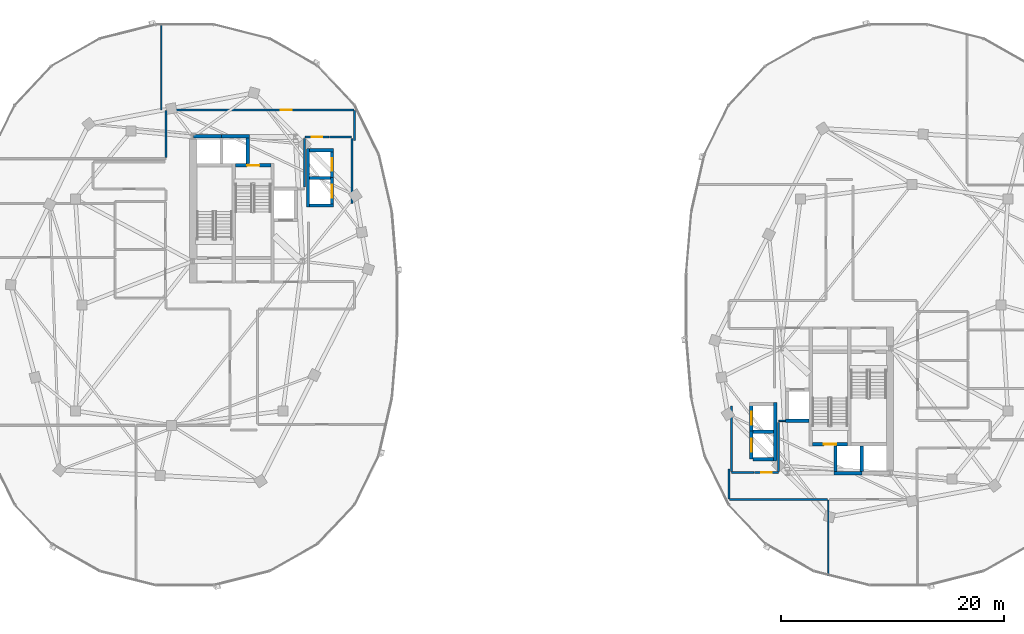
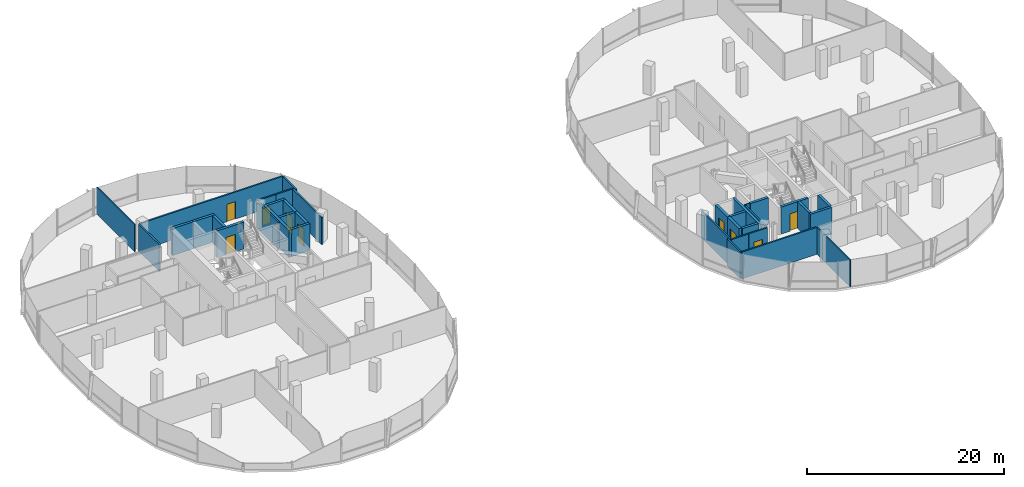
# One storey, part 16 of 25: 36 walls, 9 doors, 9 openings.
"""IFC4 building model written with IfcOpenShell, lengths in metres."""

from ifc_helpers import new_model, si_unit, direction, frame, frame_2d, origin, place, context, subcontext, project, spatial, rectangle, extrude, material, layer, layer_set, type_object, element, fill, save


model = new_model("IFC4")

# Units and contexts
model_context = context("Model", 3, precision=1e-05, world=origin(), true_north=direction((0.0, 1.0)))
body_context = subcontext(model_context, "Body", "Model", "MODEL_VIEW")
ifc_project = project(units=[si_unit("LENGTHUNIT", "METRE"), si_unit("AREAUNIT", "SQUARE_METRE"), si_unit("VOLUMEUNIT", "CUBIC_METRE"), si_unit("PLANEANGLEUNIT", "RADIAN"), si_unit("MASSUNIT", "GRAM", prefix="KILO"), si_unit("THERMODYNAMICTEMPERATUREUNIT", "KELVIN"), si_unit("POWERUNIT", "WATT")], contexts=[model_context])

# Site, building, storey
site_placement = place(None, origin())
site = spatial("IfcSite", under=ifc_project, at=site_placement, CompositionType="ELEMENT")
building_placement = place(site_placement, origin())
building = spatial("IfcBuilding", under=site, at=building_placement, Name="Cundina Bronze Exchange", CompositionType="ELEMENT")
storey_placement = place(building_placement, frame((0.0, 0.0, 213.39990234375)))
storey = spatial("IfcBuildingStorey", under=building, at=storey_placement, Name="L56", CompositionType="ELEMENT", Elevation=213.39990234375)

# Wall
ifc_material_1 = material(Name="Gypsum Fireboard Partition EI120")
ifc_layer_1 = layer(ifc_material_1, 0.179931640625, Name="Gypsum Fireboard Partition EI120")
ifc_layer_set_1 = layer_set([ifc_layer_1], Name="Gypsum Fireboard Partition EI120")
wall_type_1 = type_object("IfcWallType", Name="WL-COR-180", PredefinedType="PARTITIONING", material=ifc_layer_set_1)
wall_1_placement = place(storey_placement, frame((-17.02001953125, 9.070068359375, 0.0), z_axis=(0.0, 0.0, 1.0), x_axis=(0.0, 1.0, 0.0)))
element("IfcWall", 1, at=wall_1_placement, inside=storey, type_object=wall_type_1, Name="L56 Interior Partition 001", PredefinedType="PARTITIONING", context=body_context, shape_type="SweptSolid", body=[
    extrude(rectangle(XDim=5.85986328125, YDim=0.179931640625, at=frame_2d((2.929931640625, 0.0))), origin(), (0.0, 0.0, 1.0), 3.340087890625),
])

# Wall, opening, door
wall_2_placement = place(storey_placement, frame((-21.22998046875, 15.030029296875, 0.0), z_axis=(0.0, 0.0, 1.0), x_axis=(1.0, 0.0, 0.0)))
wall_2 = element("IfcWall", 2, at=wall_2_placement, inside=storey, type_object=wall_type_1, Name="L56 Interior Partition 002", PredefinedType="PARTITIONING", context=body_context, shape_type="SweptSolid", body=[
    extrude(rectangle(XDim=2.159912109375, YDim=0.179931640625, at=frame_2d((1.080078125, 0.0))), origin(), (0.0, 0.0, 1.0), 3.340087890625),
])
opening_1_placement = place(wall_2_placement, frame((0.60498046875, 0.0, 0.0)))
opening_1 = element("IfcOpeningElement", 3, at=opening_1_placement, cuts=wall_2, Name="Opening DW-01", PredefinedType="OPENING", context=body_context, shape_type="SweptSolid", body=[
    extrude(rectangle(XDim=0.949951171875, YDim=2.10009765625, at=frame_2d((0.47509765625, 1.050048828125))), frame((0.0, 0.099853515625, 0.0), z_axis=(0.0, -1.0, 0.0), x_axis=(1.0, 0.0, 0.0)), (0.0, 0.0, 1.0), 0.199951171875),
])
ifc_material_2 = material(Name="Solid Andean Oak Timber Grade A", Category="wood")
door_type_1 = type_object("IfcDoorType", Name="DR-WC-950", OperationType="NOTDEFINED", PredefinedType="DOOR", material=ifc_material_2)
door_1_placement = place(opening_1_placement, origin())
door_1 = element("IfcDoor", 4, at=door_1_placement, inside=storey, type_object=door_type_1, Name="L56 Interior Door 002", OperationType="SINGLE_SWING_LEFT", OverallHeight=2.10009765625, OverallWidth=0.949951171875, PredefinedType="DOOR", context=body_context, shape_type="SweptSolid", body=[
    extrude(rectangle(XDim=0.949951171875, YDim=2.10009765625, at=frame_2d((0.47509765625, 1.050048828125))), frame((0.0, 0.02490234375, 0.0), z_axis=(0.0, -1.0, 0.0), x_axis=(1.0, 0.0, 0.0)), (0.0, 0.0, 1.0), 0.050048828125),
])
fill(opening_1, door_1)

# Walls
wall_3_placement = place(storey_placement, frame((-19.030029296875, 15.030029296875, 0.0), z_axis=(0.0, 0.0, 1.0), x_axis=(1.0, 0.0, 0.0)))
element("IfcWall", 5, at=wall_3_placement, inside=storey, type_object=wall_type_1, Name="L56 Interior Partition 003", PredefinedType="PARTITIONING", context=body_context, shape_type="SweptSolid", body=[
    extrude(rectangle(XDim=1.989990234375, YDim=0.179931640625, at=frame_2d((0.9951171875, 0.0))), origin(), (0.0, 0.0, 1.0), 3.340087890625),
])
wall_4_placement = place(storey_placement, frame((-21.25, 10.570068359375, 0.0), z_axis=(0.0, 0.0, 1.0), x_axis=(0.0, 1.0, 0.0)))
element("IfcWall", 6, at=wall_4_placement, inside=storey, type_object=wall_type_1, Name="L56 Interior Partition 005", PredefinedType="PARTITIONING", context=body_context, shape_type="SweptSolid", body=[
    extrude(rectangle(XDim=4.35986328125, YDim=0.179931640625, at=frame_2d((2.179931640625, 0.0))), origin(), (0.0, 0.0, 1.0), 3.340087890625),
])

# Wall, opening, door
wall_5_placement = place(storey_placement, frame((-16.821533203125, 17.469970703125, 0.0), z_axis=(0.0, 0.0, 1.0), x_axis=(-1.0, 0.0, 0.0)))
wall_5 = element("IfcWall", 7, at=wall_5_placement, inside=storey, type_object=wall_type_1, Name="L56 Interior Partition 024", PredefinedType="PARTITIONING", context=body_context, shape_type="SweptSolid", body=[
    extrude(rectangle(XDim=16.806884765625, YDim=0.179931640625, at=frame_2d((8.4033203125, 0.0))), origin(), (0.0, 0.0, 1.0), 3.340087890625),
])
opening_2_placement = place(wall_5_placement, frame((5.568603515625, 0.0, 0.0)))
opening_2 = element("IfcOpeningElement", 8, at=opening_2_placement, cuts=wall_5, Name="Opening DO-01", PredefinedType="OPENING", context=body_context, shape_type="SweptSolid", body=[
    extrude(rectangle(XDim=1.0, YDim=2.14990234375, at=frame_2d((0.5, 1.074951171875))), frame((0.0, 0.099853515625, 0.0), z_axis=(0.0, -1.0, 0.0), x_axis=(1.0, 0.0, 0.0)), (0.0, 0.0, 1.0), 0.199951171875),
])
door_type_2 = type_object("IfcDoorType", Name="DR-OFF-1000", OperationType="NOTDEFINED", PredefinedType="DOOR", material=ifc_material_2)
door_2_placement = place(opening_2_placement, origin())
door_2 = element("IfcDoor", 9, at=door_2_placement, inside=storey, type_object=door_type_2, Name="L56 Interior Door 024", OperationType="SINGLE_SWING_LEFT", OverallHeight=2.14990234375, OverallWidth=1.0, PredefinedType="DOOR", context=body_context, shape_type="SweptSolid", body=[
    extrude(rectangle(XDim=1.0, YDim=2.14990234375, at=frame_2d((0.5, 1.074951171875))), frame((0.0, 0.02490234375, 0.0), z_axis=(0.0, -1.0, 0.0), x_axis=(1.0, 0.0, 0.0)), (0.0, 0.0, 1.0), 0.050048828125),
])
fill(opening_2, door_2)

# Walls
wall_6_placement = place(storey_placement, frame((-33.669921875, 17.428466796875, 0.0), z_axis=(0.0, 0.0, 1.0), x_axis=(0.0, -1.0, 0.0)))
element("IfcWall", 10, at=wall_6_placement, inside=storey, type_object=wall_type_1, Name="L56 Interior Partition 027", PredefinedType="PARTITIONING", context=body_context, shape_type="SweptSolid", body=[
    extrude(rectangle(XDim=4.238525390625, YDim=0.179931640625, at=frame_2d((2.119140625, 0.0))), origin(), (0.0, 0.0, 1.0), 3.340087890625),
])
wall_7_placement = place(storey_placement, frame((-16.780029296875, 14.721435546875, 0.0), z_axis=(0.0, 0.0, 1.0), x_axis=(0.0, 1.0, 0.0)))
element("IfcWall", 11, at=wall_7_placement, inside=storey, type_object=wall_type_1, Name="L56 Interior Partition 029", PredefinedType="PARTITIONING", context=body_context, shape_type="SweptSolid", body=[
    extrude(rectangle(XDim=2.70703125, YDim=0.179931640625, at=frame_2d((1.353515625, 0.0))), origin(), (0.0, 0.0, 1.0), 3.340087890625),
])
wall_8_placement = place(storey_placement, frame((17.02001953125, -14.929931640625, 0.0), z_axis=(0.0, 0.0, 1.0), x_axis=(0.0, 1.0, 0.0)))
element("IfcWall", 12, at=wall_8_placement, inside=storey, type_object=wall_type_1, Name="L56 Interior Partition 038", PredefinedType="PARTITIONING", context=body_context, shape_type="SweptSolid", body=[
    extrude(rectangle(XDim=5.85986328125, YDim=0.179931640625, at=frame_2d((2.929931640625, 0.0))), origin(), (0.0, 0.0, 1.0), 3.340087890625),
])
wall_9_placement = place(storey_placement, frame((17.0400390625, -15.030029296875, 0.0), z_axis=(0.0, 0.0, 1.0), x_axis=(1.0, 0.0, 0.0)))
element("IfcWall", 13, at=wall_9_placement, inside=storey, type_object=wall_type_1, Name="L56 Interior Partition 039", PredefinedType="PARTITIONING", context=body_context, shape_type="SweptSolid", body=[
    extrude(rectangle(XDim=1.989990234375, YDim=0.179931640625, at=frame_2d((0.9951171875, 0.0))), origin(), (0.0, 0.0, 1.0), 3.340087890625),
])

# Wall, opening, door
wall_10_placement = place(storey_placement, frame((21.22998046875, -15.030029296875, 0.0), z_axis=(0.0, 0.0, 1.0), x_axis=(-1.0, 0.0, 0.0)))
wall_10 = element("IfcWall", 14, at=wall_10_placement, inside=storey, type_object=wall_type_1, Name="L56 Interior Partition 040", PredefinedType="PARTITIONING", context=body_context, shape_type="SweptSolid", body=[
    extrude(rectangle(XDim=2.159912109375, YDim=0.179931640625, at=frame_2d((1.080078125, 0.0))), origin(), (0.0, 0.0, 1.0), 3.340087890625),
])
opening_3_placement = place(wall_10_placement, frame((0.60498046875, 0.0, 0.0)))
opening_3 = element("IfcOpeningElement", 15, at=opening_3_placement, cuts=wall_10, Name="Opening DW-01", PredefinedType="OPENING", context=body_context, shape_type="SweptSolid", body=[
    extrude(rectangle(XDim=0.949951171875, YDim=2.10009765625, at=frame_2d((0.47509765625, 1.050048828125))), frame((0.0, 0.099853515625, 0.0), z_axis=(0.0, -1.0, 0.0), x_axis=(1.0, 0.0, 0.0)), (0.0, 0.0, 1.0), 0.199951171875),
])
door_3_placement = place(opening_3_placement, origin())
door_3 = element("IfcDoor", 16, at=door_3_placement, inside=storey, type_object=door_type_1, Name="L56 Interior Door 040", OperationType="SINGLE_SWING_RIGHT", OverallHeight=2.10009765625, OverallWidth=0.949951171875, PredefinedType="DOOR", context=body_context, shape_type="SweptSolid", body=[
    extrude(rectangle(XDim=0.949951171875, YDim=2.10009765625, at=frame_2d((0.47509765625, 1.050048828125))), frame((0.0, 0.02490234375, 0.0), z_axis=(0.0, -1.0, 0.0), x_axis=(1.0, 0.0, 0.0)), (0.0, 0.0, 1.0), 0.050048828125),
])
fill(opening_3, door_3)

# Walls
wall_11_placement = place(storey_placement, frame((21.25, -14.929931640625, 0.0), z_axis=(0.0, 0.0, 1.0), x_axis=(0.0, 1.0, 0.0)))
element("IfcWall", 17, at=wall_11_placement, inside=storey, type_object=wall_type_1, Name="L56 Interior Partition 042", PredefinedType="PARTITIONING", context=body_context, shape_type="SweptSolid", body=[
    extrude(rectangle(XDim=4.35986328125, YDim=0.179931640625, at=frame_2d((2.179931640625, 0.0))), origin(), (0.0, 0.0, 1.0), 3.340087890625),
])
wall_12_placement = place(storey_placement, frame((16.821533203125, -17.469970703125, 0.0), z_axis=(0.0, 0.0, 1.0), x_axis=(1.0, 0.0, 0.0)))
element("IfcWall", 18, at=wall_12_placement, inside=storey, type_object=wall_type_1, Name="L56 Interior Partition 065", PredefinedType="PARTITIONING", context=body_context, shape_type="SweptSolid", body=[
    extrude(rectangle(XDim=8.78857421875, YDim=0.179931640625, at=frame_2d((4.394287109375, 0.0))), origin(), (0.0, 0.0, 1.0), 3.340087890625),
])
wall_13_placement = place(storey_placement, frame((16.780029296875, -14.721435546875, 0.0), z_axis=(0.0, 0.0, 1.0), x_axis=(0.0, -1.0, 0.0)))
element("IfcWall", 19, at=wall_13_placement, inside=storey, type_object=wall_type_1, Name="L56 Interior Partition 068", PredefinedType="PARTITIONING", context=body_context, shape_type="SweptSolid", body=[
    extrude(rectangle(XDim=2.70703125, YDim=0.179931640625, at=frame_2d((1.353515625, 0.0))), origin(), (0.0, 0.0, 1.0), 3.340087890625),
])
ifc_material_3 = material(Name="Gypsum Acoustic Partition EI60")
ifc_layer_2 = layer(ifc_material_3, 0.125, Name="Gypsum Acoustic Partition EI60")
ifc_layer_set_2 = layer_set([ifc_layer_2], Name="Gypsum Acoustic Partition EI60")
wall_type_2 = type_object("IfcWallType", Name="WL-OFF-125", PredefinedType="PARTITIONING", material=ifc_layer_set_2)
wall_14_placement = place(storey_placement, frame((-34.10009765625, 17.469970703125, 0.0), z_axis=(0.0, 0.0, 1.0), x_axis=(0.0, 1.0, 0.0)))
element("IfcWall", 20, at=wall_14_placement, inside=storey, type_object=wall_type_2, Name="L56 Interior Partition 019", PredefinedType="PARTITIONING", context=body_context, shape_type="SweptSolid", body=[
    extrude(rectangle(XDim=7.719970703125, YDim=0.125, at=frame_2d((3.85986328125, 0.0))), origin(), (0.0, 0.0, 1.0), 3.340087890625),
])
wall_15_placement = place(storey_placement, frame((25.699951171875, -24.2646484375, 0.0), z_axis=(0.0, 0.0, 1.0), x_axis=(0.0, 1.0, 0.0)))
element("IfcWall", 21, at=wall_15_placement, inside=storey, type_object=wall_type_2, Name="L56 Interior Partition 056", PredefinedType="PARTITIONING", context=body_context, shape_type="SweptSolid", body=[
    extrude(rectangle(XDim=6.7646484375, YDim=0.125, at=frame_2d((3.38232421875, 0.0))), origin(), (0.0, 0.0, 1.0), 3.340087890625),
])

# Wall, opening, door
ifc_material_4 = material(Name="Concrete C50/60", Category="concrete")
ifc_layer_3 = layer(ifc_material_4, 0.300048828125, Name="Concrete C50/60", Category="concrete")
ifc_layer_set_3 = layer_set([ifc_layer_3], Name="Concrete C50/60")
wall_type_3 = type_object("IfcWallType", Name="WL-SHFT-300", PredefinedType="SHEAR", material=ifc_layer_set_3)
wall_16_placement = place(storey_placement, frame((-27.43994140625, 12.5, 0.0), z_axis=(0.0, 0.0, 1.0), x_axis=(1.0, 0.0, 0.0)))
wall_16 = element("IfcWall", 22, at=wall_16_placement, inside=storey, type_object=wall_type_3, Name="L56 Stair W2 Landing Wall", PredefinedType="SHEAR", context=body_context, shape_type="SweptSolid", body=[
    extrude(rectangle(XDim=3.159912109375, YDim=0.300048828125, at=frame_2d((1.580078125, 0.0))), origin(), (0.0, 0.0, 1.0), 3.340087890625),
])
opening_4_placement = place(wall_16_placement, frame((1.030029296875, 0.0, 0.0)))
opening_4 = element("IfcOpeningElement", 23, at=opening_4_placement, cuts=wall_16, Name="Opening DS-01", PredefinedType="OPENING", context=body_context, shape_type="SweptSolid", body=[
    extrude(rectangle(XDim=1.10009765625, YDim=2.14990234375, at=frame_2d((0.550048828125, 1.074951171875))), frame((0.0, 0.159912109375, 0.0), z_axis=(0.0, -1.0, 0.0), x_axis=(1.0, 0.0, 0.0)), (0.0, 0.0, 1.0), 0.320068359375),
])
ifc_material_5 = material(Name="Steel ASTM A36 Painted", Category="steel")
door_type_3 = type_object("IfcDoorType", Name="DR-STR-1100", OperationType="NOTDEFINED", PredefinedType="DOOR", material=ifc_material_5)
door_4_placement = place(opening_4_placement, origin())
door_4 = element("IfcDoor", 24, at=door_4_placement, inside=storey, type_object=door_type_3, Name="L56 Smokeproof Stair W2 Door", OperationType="SINGLE_SWING_LEFT", OverallHeight=2.14990234375, OverallWidth=1.10009765625, PredefinedType="DOOR", context=body_context, shape_type="SweptSolid", body=[
    extrude(rectangle(XDim=1.10009765625, YDim=2.14990234375, at=frame_2d((0.550048828125, 1.074951171875))), frame((0.0, 0.02490234375, 0.0), z_axis=(0.0, -1.0, 0.0), x_axis=(1.0, 0.0, 0.0)), (0.0, 0.0, 1.0), 0.050048828125),
])
fill(opening_4, door_4)

# Walls
for number, where, z_axis, x_axis, name in (
    (25, (-31.199951171875, 15.10009765625, 0.0), (0.0, 0.0, 1.0), (1.0, 0.0, 0.0), "L56 PH-W1 Hoistway Front Wall"),
    (26, (-28.699951171875, 15.10009765625, 0.0), (0.0, 0.0, 1.0), (1.0, 0.0, 0.0), "L56 PH-W2 Hoistway Front Wall"),
):
    element("IfcWall", number, at=place(storey_placement, frame(where, z_axis=z_axis, x_axis=x_axis)), inside=storey, type_object=wall_type_3, Name=name, PredefinedType="SHEAR", context=body_context, shape_type="SweptSolid", body=[
        extrude(rectangle(XDim=2.5, YDim=0.300048828125, at=frame_2d((1.25, 0.0))), origin(), (0.0, 0.0, 1.0), 3.340087890625),
    ])
wall_17_placement = place(storey_placement, frame((-26.35009765625, 12.64990234375, 0.0), z_axis=(0.0, 0.0, 1.0), x_axis=(0.0, 1.0, 0.0)))
element("IfcWall", 27, at=wall_17_placement, inside=storey, type_object=wall_type_3, Name="L56 PH-W2 Hoistway Divider Wall", PredefinedType="SHEAR", context=body_context, shape_type="SweptSolid", body=[
    extrude(rectangle(XDim=2.300048828125, YDim=0.300048828125, at=frame_2d((1.14990234375, 0.0))), origin(), (0.0, 0.0, 1.0), 3.340087890625),
])
wall_18_placement = place(storey_placement, frame((-20.949951171875, 8.75, 0.0), z_axis=(0.0, 0.0, 1.0), x_axis=(0.0, 1.0, 0.0)))
element("IfcWall", 28, at=wall_18_placement, inside=storey, type_object=wall_type_3, Name="L56 W Passenger Bank Hoistway Back Wall", PredefinedType="SHEAR", context=body_context, shape_type="SweptSolid", body=[
    extrude(rectangle(XDim=5.25, YDim=0.300048828125, at=frame_2d((2.625, 0.0))), origin(), (0.0, 0.0, 1.0), 3.340087890625),
])
for number, where, z_axis, x_axis, name in (
    (29, (-20.800048828125, 8.89990234375, 0.0), (0.0, 0.0, 1.0), (1.0, 0.0, 0.0), "L56 W Passenger Bank South Cap Wall"),
    (30, (-20.800048828125, 13.85009765625, 0.0), (0.0, 0.0, 1.0), (1.0, 0.0, 0.0), "L56 W Passenger Bank North Cap Wall"),
):
    element("IfcWall", number, at=place(storey_placement, frame(where, z_axis=z_axis, x_axis=x_axis)), inside=storey, type_object=wall_type_3, Name=name, PredefinedType="SHEAR", context=body_context, shape_type="SweptSolid", body=[
        extrude(rectangle(XDim=2.150146484375, YDim=0.300048828125, at=frame_2d((1.0751953125, 0.0))), origin(), (0.0, 0.0, 1.0), 3.340087890625),
    ])
wall_19_placement = place(storey_placement, frame((-20.800048828125, 11.375, 0.0), z_axis=(0.0, 0.0, 1.0), x_axis=(1.0, 0.0, 0.0)))
element("IfcWall", 31, at=wall_19_placement, inside=storey, type_object=wall_type_3, Name="L56 W Passenger Hoistway Divider 1", PredefinedType="SHEAR", context=body_context, shape_type="SweptSolid", body=[
    extrude(rectangle(XDim=1.85009765625, YDim=0.300048828125, at=frame_2d((0.925048828125, 0.0))), origin(), (0.0, 0.0, 1.0), 3.340087890625),
])

# Wall, opening, door
wall_20_placement = place(storey_placement, frame((-18.800048828125, 8.929931640625, 0.0), z_axis=(0.0, 0.0, 1.0), x_axis=(0.0, 1.0, 0.0)))
wall_20 = element("IfcWall", 32, at=wall_20_placement, inside=storey, type_object=wall_type_3, Name="L56 PM-W2 Hoistway Front Wall", PredefinedType="SHEAR", context=body_context, shape_type="SweptSolid", body=[
    extrude(rectangle(XDim=2.489990234375, YDim=0.300048828125, at=frame_2d((1.2451171875, 0.0))), origin(), (0.0, 0.0, 1.0), 3.340087890625),
])
opening_5_placement = place(wall_20_placement, frame((0.669921875, 0.0, 0.0)))
opening_5 = element("IfcOpeningElement", 33, at=opening_5_placement, cuts=wall_20, Name="Opening LD-01", PredefinedType="OPENING", context=body_context, shape_type="SweptSolid", body=[
    extrude(rectangle(XDim=1.14990234375, YDim=2.199951171875, at=frame_2d((0.574951171875, 1.10009765625))), frame((0.0, 0.159912109375, 0.0), z_axis=(0.0, -1.0, 0.0), x_axis=(1.0, 0.0, 0.0)), (0.0, 0.0, 1.0), 0.320068359375),
])
door_type_4 = type_object("IfcDoorType", Name="DR-LND-1150", OperationType="NOTDEFINED", PredefinedType="TRAPDOOR", material=ifc_material_5)
door_5_placement = place(opening_5_placement, origin())
door_5 = element("IfcDoor", 34, at=door_5_placement, inside=storey, type_object=door_type_4, Name="L56 PM-W2 Sliding Landing Door", OperationType="SLIDING_TO_LEFT", OverallHeight=2.199951171875, OverallWidth=1.14990234375, PredefinedType="TRAPDOOR", context=body_context, shape_type="SweptSolid", body=[
    extrude(rectangle(XDim=1.14990234375, YDim=2.199951171875, at=frame_2d((0.574951171875, 1.10009765625))), frame((0.0, 0.02490234375, 0.0), z_axis=(0.0, -1.0, 0.0), x_axis=(1.0, 0.0, 0.0)), (0.0, 0.0, 1.0), 0.050048828125),
])
fill(opening_5, door_5)

wall_21_placement = place(storey_placement, frame((-18.800048828125, 11.330078125, 0.0), z_axis=(0.0, 0.0, 1.0), x_axis=(0.0, 1.0, 0.0)))
wall_21 = element("IfcWall", 35, at=wall_21_placement, inside=storey, type_object=wall_type_3, Name="L56 PM-W1 Hoistway Front Wall", PredefinedType="SHEAR", context=body_context, shape_type="SweptSolid", body=[
    extrude(rectangle(XDim=2.489990234375, YDim=0.300048828125, at=frame_2d((1.2451171875, 0.0))), origin(), (0.0, 0.0, 1.0), 3.340087890625),
])
opening_6_placement = place(wall_21_placement, frame((0.669921875, 0.0, 0.0)))
opening_6 = element("IfcOpeningElement", 36, at=opening_6_placement, cuts=wall_21, Name="Opening LD-01", PredefinedType="OPENING", context=body_context, shape_type="SweptSolid", body=[
    extrude(rectangle(XDim=1.14990234375, YDim=2.199951171875, at=frame_2d((0.574951171875, 1.10009765625))), frame((0.0, 0.159912109375, 0.0), z_axis=(0.0, -1.0, 0.0), x_axis=(1.0, 0.0, 0.0)), (0.0, 0.0, 1.0), 0.320068359375),
])
door_6_placement = place(opening_6_placement, origin())
door_6 = element("IfcDoor", 37, at=door_6_placement, inside=storey, type_object=door_type_4, Name="L56 PM-W1 Sliding Landing Door", OperationType="SLIDING_TO_LEFT", OverallHeight=2.199951171875, OverallWidth=1.14990234375, PredefinedType="TRAPDOOR", context=body_context, shape_type="SweptSolid", body=[
    extrude(rectangle(XDim=1.14990234375, YDim=2.199951171875, at=frame_2d((0.574951171875, 1.10009765625))), frame((0.0, 0.02490234375, 0.0), z_axis=(0.0, -1.0, 0.0), x_axis=(1.0, 0.0, 0.0)), (0.0, 0.0, 1.0), 0.050048828125),
])
fill(opening_6, door_6)

wall_22_placement = place(storey_placement, frame((24.280029296875, -12.5, 0.0), z_axis=(0.0, 0.0, 1.0), x_axis=(1.0, 0.0, 0.0)))
wall_22 = element("IfcWall", 38, at=wall_22_placement, inside=storey, type_object=wall_type_3, Name="L56 Stair E2 Landing Wall", PredefinedType="SHEAR", context=body_context, shape_type="SweptSolid", body=[
    extrude(rectangle(XDim=3.159912109375, YDim=0.300048828125, at=frame_2d((1.580078125, 0.0))), origin(), (0.0, 0.0, 1.0), 3.340087890625),
])
opening_7_placement = place(wall_22_placement, frame((1.030029296875, 0.0, 0.0)))
opening_7 = element("IfcOpeningElement", 39, at=opening_7_placement, cuts=wall_22, Name="Opening DS-01", PredefinedType="OPENING", context=body_context, shape_type="SweptSolid", body=[
    extrude(rectangle(XDim=1.10009765625, YDim=2.14990234375, at=frame_2d((0.550048828125, 1.074951171875))), frame((0.0, 0.159912109375, 0.0), z_axis=(0.0, -1.0, 0.0), x_axis=(1.0, 0.0, 0.0)), (0.0, 0.0, 1.0), 0.320068359375),
])
door_7_placement = place(opening_7_placement, origin())
door_7 = element("IfcDoor", 40, at=door_7_placement, inside=storey, type_object=door_type_3, Name="L56 Smokeproof Stair E2 Door", OperationType="SINGLE_SWING_RIGHT", OverallHeight=2.14990234375, OverallWidth=1.10009765625, PredefinedType="DOOR", context=body_context, shape_type="SweptSolid", body=[
    extrude(rectangle(XDim=1.10009765625, YDim=2.14990234375, at=frame_2d((0.550048828125, 1.074951171875))), frame((0.0, 0.02490234375, 0.0), z_axis=(0.0, -1.0, 0.0), x_axis=(1.0, 0.0, 0.0)), (0.0, 0.0, 1.0), 0.050048828125),
])
fill(opening_7, door_7)

# Walls
wall_23_placement = place(storey_placement, frame((21.8798828125, -10.39990234375, 0.0), z_axis=(0.0, 0.0, 1.0), x_axis=(1.0, 0.0, 0.0)))
element("IfcWall", 41, at=wall_23_placement, inside=storey, type_object=wall_type_3, Name="L56 FFL-E Hoistway Back Wall", PredefinedType="SHEAR", context=body_context, shape_type="SweptSolid", body=[
    extrude(rectangle(XDim=2.10009765625, YDim=0.300048828125, at=frame_2d((1.050048828125, 0.0))), origin(), (0.0, 0.0, 1.0), 3.340087890625),
])
wall_24_placement = place(storey_placement, frame((28.699951171875, -14.949951171875, 0.0), z_axis=(0.0, 0.0, 1.0), x_axis=(0.0, 1.0, 0.0)))
element("IfcWall", 42, at=wall_24_placement, inside=storey, type_object=wall_type_3, Name="L56 PH-E1 Hoistway Divider Wall", PredefinedType="SHEAR", context=body_context, shape_type="SweptSolid", body=[
    extrude(rectangle(XDim=2.300048828125, YDim=0.300048828125, at=frame_2d((1.14990234375, 0.0))), origin(), (0.0, 0.0, 1.0), 3.340087890625),
])
wall_25_placement = place(storey_placement, frame((26.199951171875, -15.10009765625, 0.0), z_axis=(0.0, 0.0, 1.0), x_axis=(1.0, 0.0, 0.0)))
element("IfcWall", 43, at=wall_25_placement, inside=storey, type_object=wall_type_3, Name="L56 PH-E2 Hoistway Front Wall", PredefinedType="SHEAR", context=body_context, shape_type="SweptSolid", body=[
    extrude(rectangle(XDim=2.5, YDim=0.300048828125, at=frame_2d((1.25, 0.0))), origin(), (0.0, 0.0, 1.0), 3.340087890625),
])
wall_26_placement = place(storey_placement, frame((26.35009765625, -14.949951171875, 0.0), z_axis=(0.0, 0.0, 1.0), x_axis=(0.0, 1.0, 0.0)))
element("IfcWall", 44, at=wall_26_placement, inside=storey, type_object=wall_type_3, Name="L56 PH-E2 Hoistway Divider Wall", PredefinedType="SHEAR", context=body_context, shape_type="SweptSolid", body=[
    extrude(rectangle(XDim=2.300048828125, YDim=0.300048828125, at=frame_2d((1.14990234375, 0.0))), origin(), (0.0, 0.0, 1.0), 3.340087890625),
])
wall_27_placement = place(storey_placement, frame((20.949951171875, -14.0, 0.0), z_axis=(0.0, 0.0, 1.0), x_axis=(0.0, 1.0, 0.0)))
element("IfcWall", 45, at=wall_27_placement, inside=storey, type_object=wall_type_3, Name="L56 E Passenger Bank Hoistway Back Wall", PredefinedType="SHEAR", context=body_context, shape_type="SweptSolid", body=[
    extrude(rectangle(XDim=5.25, YDim=0.300048828125, at=frame_2d((2.625, 0.0))), origin(), (0.0, 0.0, 1.0), 3.340087890625),
])
for number, where, z_axis, x_axis, name in (
    (46, (18.949951171875, -13.85009765625, 0.0), (0.0, 0.0, 1.0), (1.0, 0.0, 0.0), "L56 E Passenger Bank South Cap Wall"),
    (47, (18.949951171875, -11.375, 0.0), (0.0, 0.0, 1.0), (1.0, 0.0, 0.0), "L56 E Passenger Hoistway Divider 1"),
):
    element("IfcWall", number, at=place(storey_placement, frame(where, z_axis=z_axis, x_axis=x_axis)), inside=storey, type_object=wall_type_3, Name=name, PredefinedType="SHEAR", context=body_context, shape_type="SweptSolid", body=[
        extrude(rectangle(XDim=1.85009765625, YDim=0.300048828125, at=frame_2d((0.925048828125, 0.0))), origin(), (0.0, 0.0, 1.0), 3.340087890625),
    ])

# Wall, opening, door
wall_28_placement = place(storey_placement, frame((18.800048828125, -13.820068359375, 0.0), z_axis=(0.0, 0.0, 1.0), x_axis=(0.0, 1.0, 0.0)))
wall_28 = element("IfcWall", 48, at=wall_28_placement, inside=storey, type_object=wall_type_3, Name="L56 PM-E1 Hoistway Front Wall", PredefinedType="SHEAR", context=body_context, shape_type="SweptSolid", body=[
    extrude(rectangle(XDim=2.489990234375, YDim=0.300048828125, at=frame_2d((1.2451171875, 0.0))), origin(), (0.0, 0.0, 1.0), 3.340087890625),
])
opening_8_placement = place(wall_28_placement, frame((0.669921875, 0.0, 0.0)))
opening_8 = element("IfcOpeningElement", 49, at=opening_8_placement, cuts=wall_28, Name="Opening LD-01", PredefinedType="OPENING", context=body_context, shape_type="SweptSolid", body=[
    extrude(rectangle(XDim=1.14990234375, YDim=2.199951171875, at=frame_2d((0.574951171875, 1.10009765625))), frame((0.0, 0.159912109375, 0.0), z_axis=(0.0, -1.0, 0.0), x_axis=(1.0, 0.0, 0.0)), (0.0, 0.0, 1.0), 0.320068359375),
])
door_8_placement = place(opening_8_placement, origin())
door_8 = element("IfcDoor", 50, at=door_8_placement, inside=storey, type_object=door_type_4, Name="L56 PM-E1 Sliding Landing Door", OperationType="SLIDING_TO_LEFT", OverallHeight=2.199951171875, OverallWidth=1.14990234375, PredefinedType="TRAPDOOR", context=body_context, shape_type="SweptSolid", body=[
    extrude(rectangle(XDim=1.14990234375, YDim=2.199951171875, at=frame_2d((0.574951171875, 1.10009765625))), frame((0.0, 0.02490234375, 0.0), z_axis=(0.0, -1.0, 0.0), x_axis=(1.0, 0.0, 0.0)), (0.0, 0.0, 1.0), 0.050048828125),
])
fill(opening_8, door_8)

wall_29_placement = place(storey_placement, frame((18.800048828125, -11.419921875, 0.0), z_axis=(0.0, 0.0, 1.0), x_axis=(0.0, 1.0, 0.0)))
wall_29 = element("IfcWall", 51, at=wall_29_placement, inside=storey, type_object=wall_type_3, Name="L56 PM-E2 Hoistway Front Wall", PredefinedType="SHEAR", context=body_context, shape_type="SweptSolid", body=[
    extrude(rectangle(XDim=2.489990234375, YDim=0.300048828125, at=frame_2d((1.2451171875, 0.0))), origin(), (0.0, 0.0, 1.0), 3.340087890625),
])
opening_9_placement = place(wall_29_placement, frame((0.669921875, 0.0, 0.0)))
opening_9 = element("IfcOpeningElement", 52, at=opening_9_placement, cuts=wall_29, Name="Opening LD-01", PredefinedType="OPENING", context=body_context, shape_type="SweptSolid", body=[
    extrude(rectangle(XDim=1.14990234375, YDim=2.199951171875, at=frame_2d((0.574951171875, 1.10009765625))), frame((0.0, 0.159912109375, 0.0), z_axis=(0.0, -1.0, 0.0), x_axis=(1.0, 0.0, 0.0)), (0.0, 0.0, 1.0), 0.320068359375),
])
door_9_placement = place(opening_9_placement, origin())
door_9 = element("IfcDoor", 53, at=door_9_placement, inside=storey, type_object=door_type_4, Name="L56 PM-E2 Sliding Landing Door", OperationType="SLIDING_TO_LEFT", OverallHeight=2.199951171875, OverallWidth=1.14990234375, PredefinedType="TRAPDOOR", context=body_context, shape_type="SweptSolid", body=[
    extrude(rectangle(XDim=1.14990234375, YDim=2.199951171875, at=frame_2d((0.574951171875, 1.10009765625))), frame((0.0, 0.02490234375, 0.0), z_axis=(0.0, -1.0, 0.0), x_axis=(1.0, 0.0, 0.0)), (0.0, 0.0, 1.0), 0.050048828125),
])
fill(opening_9, door_9)

# Wall
ifc_material_6 = material(Name="Moisture-Resistant Masonry Block Grade M15", Category="masonry")
ifc_layer_4 = layer(ifc_material_6, 0.139892578125, Name="Moisture-Resistant Masonry Block Grade M15", Category="masonry")
ifc_layer_set_4 = layer_set([ifc_layer_4], Name="Moisture-Resistant Masonry Block Grade M15")
wall_type_4 = type_object("IfcWallType", Name="WL-WET-140", PredefinedType="PARTITIONING", material=ifc_layer_set_4)
wall_30_placement = place(storey_placement, frame((21.27001953125, -10.39990234375, 0.0), z_axis=(0.0, 0.0, 1.0), x_axis=(1.0, 0.0, 0.0)))
element("IfcWall", 54, at=wall_30_placement, inside=storey, type_object=wall_type_4, Name="L56 Interior Partition 041", PredefinedType="PARTITIONING", context=body_context, shape_type="SweptSolid", body=[
    extrude(rectangle(XDim=0.590087890625, YDim=0.139892578125, at=frame_2d((0.294921875, 0.0))), origin(), (0.0, 0.0, 1.0), 3.340087890625),
])

save(model, "model.ifc")
